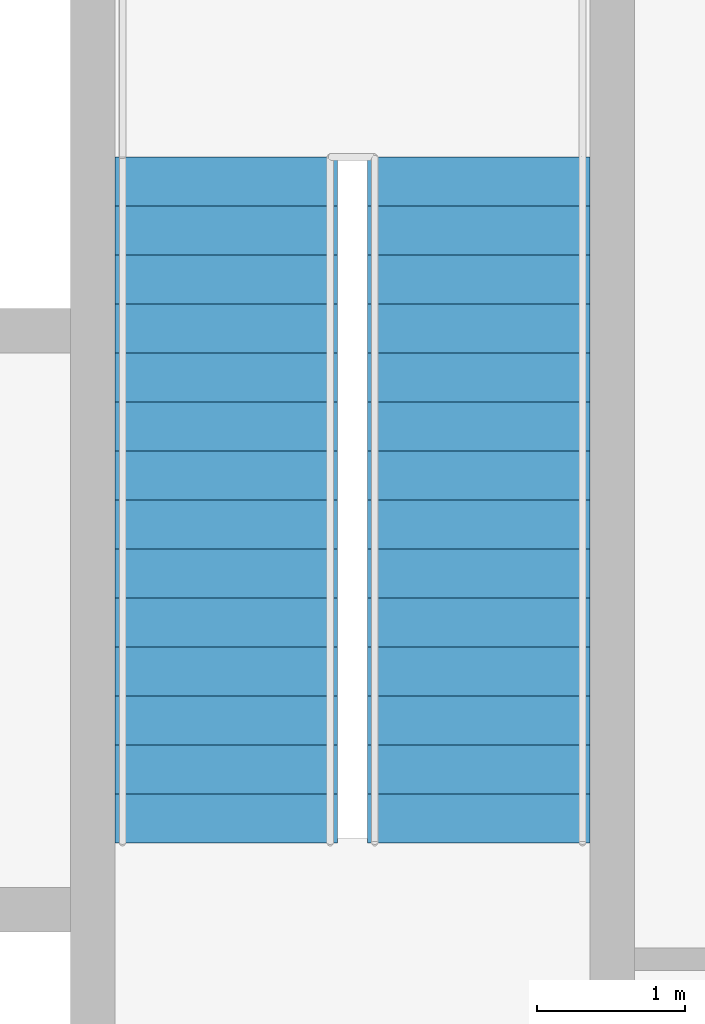
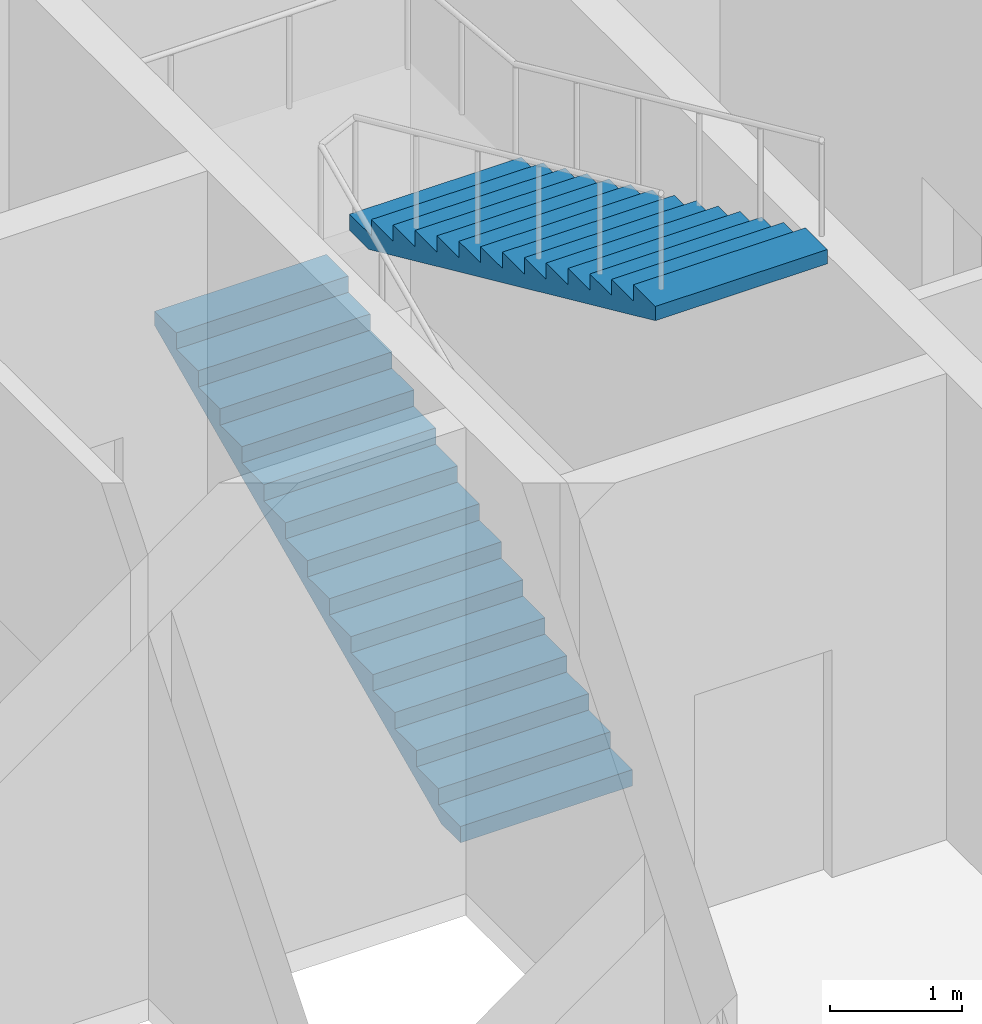
# One storey, part 9 of 10: 2 stair flights, 1 element without a shape of its own.
"""IFC4 building model written with IfcOpenShell, lengths in metres."""

from ifc_helpers import new_model, si_unit, direction, frame, origin, place, context, subcontext, project, spatial, polygons, material, type_object, element, aggregate, save


model = new_model("IFC4")

# Units and contexts
model_context = context("Model", 3, precision=1e-05, world=origin(), true_north=direction((0.0, 1.0)))
body_context = subcontext(model_context, "Body", "Model", "MODEL_VIEW")
ifc_project = project(units=[si_unit("LENGTHUNIT", "METRE"), si_unit("AREAUNIT", "SQUARE_METRE"), si_unit("VOLUMEUNIT", "CUBIC_METRE"), si_unit("PLANEANGLEUNIT", "RADIAN"), si_unit("MASSUNIT", "GRAM", prefix="KILO")], contexts=[model_context])

# Site, building, storey
site_placement = place(None, origin())
site = spatial("IfcSite", under=ifc_project, at=site_placement, CompositionType="ELEMENT")
building_placement = place(site_placement, origin())
building = spatial("IfcBuilding", under=site, at=building_placement, Name="Njiva Tower", CompositionType="ELEMENT")
storey_placement = place(building_placement, frame((0.0, 0.0, 73.8)))
storey = spatial("IfcBuildingStorey", under=building, at=storey_placement, Name="L15", CompositionType="ELEMENT", Elevation=73.8)

# Stair, stair flights
ifc_material = material(Name="Concrete C40/50", Category="concrete")
stair_type = type_object("IfcStairType", Name="ST4 Exit stair 1500", PredefinedType="HALF_TURN_STAIR", material=ifc_material)
stair_placement = place(storey_placement, origin())
stair = element("IfcStair", 1, at=stair_placement, inside=storey, type_object=stair_type, Name="Stair B", PredefinedType="HALF_TURN_STAIR")
stair_flight_type = type_object("IfcStairFlightType", Name="FL4 Stair flight 1500", PredefinedType="STRAIGHT", material=ifc_material)
stair_flight_1_placement = place(storey_placement, frame((11.75, 11.1, 0.0), z_axis=(0.0, 0.0, 1.0), x_axis=(0.0, 1.0, 0.0)))
stair_flight_1 = element("IfcStairFlight", 2, at=stair_flight_1_placement, type_object=stair_flight_type, Name="ST-B flight 1", NumberOfRisers=15, NumberOfTreads=14, PredefinedType="STRAIGHT", RiserHeight=0.15, TreadLength=0.33, context=body_context, shape_type="Tessellation", body=[
    polygons([(0.0, 0.75, 0.0), (0.0, 0.375, 0.0), (0.0, 0.0, 0.0), (0.0, -0.375, 0.0), (0.0, -0.75, 0.0), (0.0, 0.75, 0.15), (0.0, 0.375, 0.15), (0.0, 0.0, 0.15), (0.0, -0.375, 0.15), (0.0, -0.75, 0.15), (0.33, 0.75, 0.15), (0.33, 0.375, 0.15), (0.33, 0.0, 0.15), (0.33, -0.375, 0.15), (0.33, -0.75, 0.15), (0.33, 0.75, 0.3), (0.33, 0.375, 0.3), (0.33, 0.0, 0.3), (0.33, -0.375, 0.3), (0.33, -0.75, 0.3), (0.66, 0.75, 0.3), (0.66, 0.375, 0.3), (0.66, 0.0, 0.3), (0.66, -0.375, 0.3), (0.66, -0.75, 0.3), (0.66, 0.75, 0.45), (0.66, 0.375, 0.45), (0.66, 0.0, 0.45), (0.66, -0.375, 0.45), (0.66, -0.75, 0.45), (0.99, 0.75, 0.45), (0.99, 0.375, 0.45), (0.99, 0.0, 0.45), (0.99, -0.375, 0.45), (0.99, -0.75, 0.45), (0.99, 0.75, 0.6), (0.99, 0.375, 0.6), (0.99, 0.0, 0.6), (0.99, -0.375, 0.6), (0.99, -0.75, 0.6), (1.32, 0.75, 0.6), (1.32, 0.375, 0.6), (1.32, 0.0, 0.6), (1.32, -0.375, 0.6), (1.32, -0.75, 0.6), (1.32, 0.75, 0.75), (1.32, 0.375, 0.75), (1.32, 0.0, 0.75), (1.32, -0.375, 0.75), (1.32, -0.75, 0.75), (1.65, 0.75, 0.75), (1.65, 0.375, 0.75), (1.65, 0.0, 0.75), (1.65, -0.375, 0.75), (1.65, -0.75, 0.75), (1.65, 0.75, 0.9), (1.65, 0.375, 0.9), (1.65, 0.0, 0.9), (1.65, -0.375, 0.9), (1.65, -0.75, 0.9), (1.98, 0.75, 0.9), (1.98, 0.375, 0.9), (1.98, 0.0, 0.9), (1.98, -0.375, 0.9), (1.98, -0.75, 0.9), (1.98, 0.75, 1.05), (1.98, 0.375, 1.05), (1.98, 0.0, 1.05), (1.98, -0.375, 1.05), (1.98, -0.75, 1.05), (2.31, 0.75, 1.05), (2.31, 0.375, 1.05), (2.31, 0.0, 1.05), (2.31, -0.375, 1.05), (2.31, -0.75, 1.05), (2.31, 0.75, 1.2), (2.31, 0.375, 1.2), (2.31, 0.0, 1.2), (2.31, -0.375, 1.2), (2.31, -0.75, 1.2), (2.64, 0.75, 1.2), (2.64, 0.375, 1.2), (2.64, 0.0, 1.2), (2.64, -0.375, 1.2), (2.64, -0.75, 1.2), (2.64, 0.75, 1.35), (2.64, 0.375, 1.35), (2.64, 0.0, 1.35), (2.64, -0.375, 1.35), (2.64, -0.75, 1.35), (2.97, 0.75, 1.35), (2.97, 0.375, 1.35), (2.97, 0.0, 1.35), (2.97, -0.375, 1.35), (2.97, -0.75, 1.35), (2.97, 0.75, 1.5), (2.97, 0.375, 1.5), (2.97, 0.0, 1.5), (2.97, -0.375, 1.5), (2.97, -0.75, 1.5), (3.3, 0.75, 1.5), (3.3, 0.375, 1.5), (3.3, 0.0, 1.5), (3.3, -0.375, 1.5), (3.3, -0.75, 1.5), (3.3, 0.75, 1.65), (3.3, 0.375, 1.65), (3.3, 0.0, 1.65), (3.3, -0.375, 1.65), (3.3, -0.75, 1.65), (3.63, 0.75, 1.65), (3.63, 0.375, 1.65), (3.63, 0.0, 1.65), (3.63, -0.375, 1.65), (3.63, -0.75, 1.65), (3.63, 0.75, 1.8), (3.63, 0.375, 1.8), (3.63, 0.0, 1.8), (3.63, -0.375, 1.8), (3.63, -0.75, 1.8), (3.96, 0.75, 1.8), (3.96, 0.375, 1.8), (3.96, 0.0, 1.8), (3.96, -0.375, 1.8), (3.96, -0.75, 1.8), (3.96, 0.75, 1.95), (3.96, 0.375, 1.95), (3.96, 0.0, 1.95), (3.96, -0.375, 1.95), (3.96, -0.75, 1.95), (4.29, 0.75, 1.95), (4.29, 0.375, 1.95), (4.29, 0.0, 1.95), (4.29, -0.375, 1.95), (4.29, -0.75, 1.95), (4.29, 0.75, 2.1), (4.29, 0.375, 2.1), (4.29, 0.0, 2.1), (4.29, -0.375, 2.1), (4.29, -0.75, 2.1), (4.62, 0.75, 2.1), (4.62, 0.375, 2.1), (4.62, 0.0, 2.1), (4.62, -0.375, 2.1), (4.62, -0.75, 2.1), (4.62, 0.75, 1.9682), (4.62, 0.375, 1.9682), (4.62, 0.0, 1.9682), (4.62, -0.375, 1.9682), (4.62, -0.75, 1.9682), (0.29, 0.75, 0.0), (0.29, 0.375, 0.0), (0.29, 0.0, 0.0), (0.29, -0.375, 0.0), (0.29, -0.75, 0.0)], [[[1, 6, 11, 16, 21, 26, 31, 36, 41, 46, 51, 56, 61, 66, 71, 76, 81, 86, 91, 96, 101, 106, 111, 116, 121, 126, 131, 136, 141, 146, 151]], [[155, 150, 145, 140, 135, 130, 125, 120, 115, 110, 105, 100, 95, 90, 85, 80, 75, 70, 65, 60, 55, 50, 45, 40, 35, 30, 25, 20, 15, 10, 5]], [[6, 1, 2, 7]], [[7, 2, 3, 8]], [[8, 3, 4, 9]], [[9, 4, 5, 10]], [[11, 6, 7, 12]], [[12, 7, 8, 13]], [[13, 8, 9, 14]], [[14, 9, 10, 15]], [[16, 11, 12, 17]], [[17, 12, 13, 18]], [[18, 13, 14, 19]], [[19, 14, 15, 20]], [[21, 16, 17, 22]], [[22, 17, 18, 23]], [[23, 18, 19, 24]], [[24, 19, 20, 25]], [[26, 21, 22, 27]], [[27, 22, 23, 28]], [[28, 23, 24, 29]], [[29, 24, 25, 30]], [[31, 26, 27, 32]], [[32, 27, 28, 33]], [[33, 28, 29, 34]], [[34, 29, 30, 35]], [[36, 31, 32, 37]], [[37, 32, 33, 38]], [[38, 33, 34, 39]], [[39, 34, 35, 40]], [[41, 36, 37, 42]], [[42, 37, 38, 43]], [[43, 38, 39, 44]], [[44, 39, 40, 45]], [[46, 41, 42, 47]], [[47, 42, 43, 48]], [[48, 43, 44, 49]], [[49, 44, 45, 50]], [[51, 46, 47, 52]], [[52, 47, 48, 53]], [[53, 48, 49, 54]], [[54, 49, 50, 55]], [[56, 51, 52, 57]], [[57, 52, 53, 58]], [[58, 53, 54, 59]], [[59, 54, 55, 60]], [[61, 56, 57, 62]], [[62, 57, 58, 63]], [[63, 58, 59, 64]], [[64, 59, 60, 65]], [[66, 61, 62, 67]], [[67, 62, 63, 68]], [[68, 63, 64, 69]], [[69, 64, 65, 70]], [[71, 66, 67, 72]], [[72, 67, 68, 73]], [[73, 68, 69, 74]], [[74, 69, 70, 75]], [[76, 71, 72, 77]], [[77, 72, 73, 78]], [[78, 73, 74, 79]], [[79, 74, 75, 80]], [[81, 76, 77, 82]], [[82, 77, 78, 83]], [[83, 78, 79, 84]], [[84, 79, 80, 85]], [[86, 81, 82, 87]], [[87, 82, 83, 88]], [[88, 83, 84, 89]], [[89, 84, 85, 90]], [[91, 86, 87, 92]], [[92, 87, 88, 93]], [[93, 88, 89, 94]], [[94, 89, 90, 95]], [[96, 91, 92, 97]], [[97, 92, 93, 98]], [[98, 93, 94, 99]], [[99, 94, 95, 100]], [[101, 96, 97, 102]], [[102, 97, 98, 103]], [[103, 98, 99, 104]], [[104, 99, 100, 105]], [[106, 101, 102, 107]], [[107, 102, 103, 108]], [[108, 103, 104, 109]], [[109, 104, 105, 110]], [[111, 106, 107, 112]], [[112, 107, 108, 113]], [[113, 108, 109, 114]], [[114, 109, 110, 115]], [[116, 111, 112, 117]], [[117, 112, 113, 118]], [[118, 113, 114, 119]], [[119, 114, 115, 120]], [[121, 116, 117, 122]], [[122, 117, 118, 123]], [[123, 118, 119, 124]], [[124, 119, 120, 125]], [[126, 121, 122, 127]], [[127, 122, 123, 128]], [[128, 123, 124, 129]], [[129, 124, 125, 130]], [[131, 126, 127, 132]], [[132, 127, 128, 133]], [[133, 128, 129, 134]], [[134, 129, 130, 135]], [[136, 131, 132, 137]], [[137, 132, 133, 138]], [[138, 133, 134, 139]], [[139, 134, 135, 140]], [[141, 136, 137, 142]], [[142, 137, 138, 143]], [[143, 138, 139, 144]], [[144, 139, 140, 145]], [[146, 141, 142, 147]], [[147, 142, 143, 148]], [[148, 143, 144, 149]], [[149, 144, 145, 150]], [[151, 146, 147, 152]], [[152, 147, 148, 153]], [[153, 148, 149, 154]], [[154, 149, 150, 155]], [[1, 151, 152, 2]], [[2, 152, 153, 3]], [[3, 153, 154, 4]], [[4, 154, 155, 5]]], closed=True),
])
stair_flight_2_placement = place(storey_placement, frame((13.45, 15.72, 2.25), z_axis=(0.0, 0.0, 1.0), x_axis=(0.0, -1.0, 0.0)))
stair_flight_2 = element("IfcStairFlight", 3, at=stair_flight_2_placement, type_object=stair_flight_type, Name="ST-B flight 2", NumberOfRisers=15, NumberOfTreads=14, PredefinedType="STRAIGHT", RiserHeight=0.15, TreadLength=0.33, context=body_context, shape_type="Tessellation", body=[
    polygons([(0.0, 0.75, 0.0), (0.0, 0.375, 0.0), (0.0, 0.0, 0.0), (0.0, -0.375, 0.0), (0.0, -0.75, 0.0), (0.0, 0.75, 0.15), (0.0, 0.375, 0.15), (0.0, 0.0, 0.15), (0.0, -0.375, 0.15), (0.0, -0.75, 0.15), (0.33, 0.75, 0.15), (0.33, 0.375, 0.15), (0.33, 0.0, 0.15), (0.33, -0.375, 0.15), (0.33, -0.75, 0.15), (0.33, 0.75, 0.3), (0.33, 0.375, 0.3), (0.33, 0.0, 0.3), (0.33, -0.375, 0.3), (0.33, -0.75, 0.3), (0.66, 0.75, 0.3), (0.66, 0.375, 0.3), (0.66, 0.0, 0.3), (0.66, -0.375, 0.3), (0.66, -0.75, 0.3), (0.66, 0.75, 0.45), (0.66, 0.375, 0.45), (0.66, 0.0, 0.45), (0.66, -0.375, 0.45), (0.66, -0.75, 0.45), (0.99, 0.75, 0.45), (0.99, 0.375, 0.45), (0.99, 0.0, 0.45), (0.99, -0.375, 0.45), (0.99, -0.75, 0.45), (0.99, 0.75, 0.6), (0.99, 0.375, 0.6), (0.99, 0.0, 0.6), (0.99, -0.375, 0.6), (0.99, -0.75, 0.6), (1.32, 0.75, 0.6), (1.32, 0.375, 0.6), (1.32, 0.0, 0.6), (1.32, -0.375, 0.6), (1.32, -0.75, 0.6), (1.32, 0.75, 0.75), (1.32, 0.375, 0.75), (1.32, 0.0, 0.75), (1.32, -0.375, 0.75), (1.32, -0.75, 0.75), (1.65, 0.75, 0.75), (1.65, 0.375, 0.75), (1.65, 0.0, 0.75), (1.65, -0.375, 0.75), (1.65, -0.75, 0.75), (1.65, 0.75, 0.9), (1.65, 0.375, 0.9), (1.65, 0.0, 0.9), (1.65, -0.375, 0.9), (1.65, -0.75, 0.9), (1.98, 0.75, 0.9), (1.98, 0.375, 0.9), (1.98, 0.0, 0.9), (1.98, -0.375, 0.9), (1.98, -0.75, 0.9), (1.98, 0.75, 1.05), (1.98, 0.375, 1.05), (1.98, 0.0, 1.05), (1.98, -0.375, 1.05), (1.98, -0.75, 1.05), (2.31, 0.75, 1.05), (2.31, 0.375, 1.05), (2.31, 0.0, 1.05), (2.31, -0.375, 1.05), (2.31, -0.75, 1.05), (2.31, 0.75, 1.2), (2.31, 0.375, 1.2), (2.31, 0.0, 1.2), (2.31, -0.375, 1.2), (2.31, -0.75, 1.2), (2.64, 0.75, 1.2), (2.64, 0.375, 1.2), (2.64, 0.0, 1.2), (2.64, -0.375, 1.2), (2.64, -0.75, 1.2), (2.64, 0.75, 1.35), (2.64, 0.375, 1.35), (2.64, 0.0, 1.35), (2.64, -0.375, 1.35), (2.64, -0.75, 1.35), (2.97, 0.75, 1.35), (2.97, 0.375, 1.35), (2.97, 0.0, 1.35), (2.97, -0.375, 1.35), (2.97, -0.75, 1.35), (2.97, 0.75, 1.5), (2.97, 0.375, 1.5), (2.97, 0.0, 1.5), (2.97, -0.375, 1.5), (2.97, -0.75, 1.5), (3.3, 0.75, 1.5), (3.3, 0.375, 1.5), (3.3, 0.0, 1.5), (3.3, -0.375, 1.5), (3.3, -0.75, 1.5), (3.3, 0.75, 1.65), (3.3, 0.375, 1.65), (3.3, 0.0, 1.65), (3.3, -0.375, 1.65), (3.3, -0.75, 1.65), (3.63, 0.75, 1.65), (3.63, 0.375, 1.65), (3.63, 0.0, 1.65), (3.63, -0.375, 1.65), (3.63, -0.75, 1.65), (3.63, 0.75, 1.8), (3.63, 0.375, 1.8), (3.63, 0.0, 1.8), (3.63, -0.375, 1.8), (3.63, -0.75, 1.8), (3.96, 0.75, 1.8), (3.96, 0.375, 1.8), (3.96, 0.0, 1.8), (3.96, -0.375, 1.8), (3.96, -0.75, 1.8), (3.96, 0.75, 1.95), (3.96, 0.375, 1.95), (3.96, 0.0, 1.95), (3.96, -0.375, 1.95), (3.96, -0.75, 1.95), (4.29, 0.75, 1.95), (4.29, 0.375, 1.95), (4.29, 0.0, 1.95), (4.29, -0.375, 1.95), (4.29, -0.75, 1.95), (4.29, 0.75, 2.1), (4.29, 0.375, 2.1), (4.29, 0.0, 2.1), (4.29, -0.375, 2.1), (4.29, -0.75, 2.1), (4.62, 0.75, 2.1), (4.62, 0.375, 2.1), (4.62, 0.0, 2.1), (4.62, -0.375, 2.1), (4.62, -0.75, 2.1), (4.62, 0.75, 1.9682), (4.62, 0.375, 1.9682), (4.62, 0.0, 1.9682), (4.62, -0.375, 1.9682), (4.62, -0.75, 1.9682), (0.29, 0.75, 0.0), (0.29, 0.375, 0.0), (0.29, 0.0, 0.0), (0.29, -0.375, 0.0), (0.29, -0.75, 0.0)], [[[1, 6, 11, 16, 21, 26, 31, 36, 41, 46, 51, 56, 61, 66, 71, 76, 81, 86, 91, 96, 101, 106, 111, 116, 121, 126, 131, 136, 141, 146, 151]], [[155, 150, 145, 140, 135, 130, 125, 120, 115, 110, 105, 100, 95, 90, 85, 80, 75, 70, 65, 60, 55, 50, 45, 40, 35, 30, 25, 20, 15, 10, 5]], [[6, 1, 2, 7]], [[7, 2, 3, 8]], [[8, 3, 4, 9]], [[9, 4, 5, 10]], [[11, 6, 7, 12]], [[12, 7, 8, 13]], [[13, 8, 9, 14]], [[14, 9, 10, 15]], [[16, 11, 12, 17]], [[17, 12, 13, 18]], [[18, 13, 14, 19]], [[19, 14, 15, 20]], [[21, 16, 17, 22]], [[22, 17, 18, 23]], [[23, 18, 19, 24]], [[24, 19, 20, 25]], [[26, 21, 22, 27]], [[27, 22, 23, 28]], [[28, 23, 24, 29]], [[29, 24, 25, 30]], [[31, 26, 27, 32]], [[32, 27, 28, 33]], [[33, 28, 29, 34]], [[34, 29, 30, 35]], [[36, 31, 32, 37]], [[37, 32, 33, 38]], [[38, 33, 34, 39]], [[39, 34, 35, 40]], [[41, 36, 37, 42]], [[42, 37, 38, 43]], [[43, 38, 39, 44]], [[44, 39, 40, 45]], [[46, 41, 42, 47]], [[47, 42, 43, 48]], [[48, 43, 44, 49]], [[49, 44, 45, 50]], [[51, 46, 47, 52]], [[52, 47, 48, 53]], [[53, 48, 49, 54]], [[54, 49, 50, 55]], [[56, 51, 52, 57]], [[57, 52, 53, 58]], [[58, 53, 54, 59]], [[59, 54, 55, 60]], [[61, 56, 57, 62]], [[62, 57, 58, 63]], [[63, 58, 59, 64]], [[64, 59, 60, 65]], [[66, 61, 62, 67]], [[67, 62, 63, 68]], [[68, 63, 64, 69]], [[69, 64, 65, 70]], [[71, 66, 67, 72]], [[72, 67, 68, 73]], [[73, 68, 69, 74]], [[74, 69, 70, 75]], [[76, 71, 72, 77]], [[77, 72, 73, 78]], [[78, 73, 74, 79]], [[79, 74, 75, 80]], [[81, 76, 77, 82]], [[82, 77, 78, 83]], [[83, 78, 79, 84]], [[84, 79, 80, 85]], [[86, 81, 82, 87]], [[87, 82, 83, 88]], [[88, 83, 84, 89]], [[89, 84, 85, 90]], [[91, 86, 87, 92]], [[92, 87, 88, 93]], [[93, 88, 89, 94]], [[94, 89, 90, 95]], [[96, 91, 92, 97]], [[97, 92, 93, 98]], [[98, 93, 94, 99]], [[99, 94, 95, 100]], [[101, 96, 97, 102]], [[102, 97, 98, 103]], [[103, 98, 99, 104]], [[104, 99, 100, 105]], [[106, 101, 102, 107]], [[107, 102, 103, 108]], [[108, 103, 104, 109]], [[109, 104, 105, 110]], [[111, 106, 107, 112]], [[112, 107, 108, 113]], [[113, 108, 109, 114]], [[114, 109, 110, 115]], [[116, 111, 112, 117]], [[117, 112, 113, 118]], [[118, 113, 114, 119]], [[119, 114, 115, 120]], [[121, 116, 117, 122]], [[122, 117, 118, 123]], [[123, 118, 119, 124]], [[124, 119, 120, 125]], [[126, 121, 122, 127]], [[127, 122, 123, 128]], [[128, 123, 124, 129]], [[129, 124, 125, 130]], [[131, 126, 127, 132]], [[132, 127, 128, 133]], [[133, 128, 129, 134]], [[134, 129, 130, 135]], [[136, 131, 132, 137]], [[137, 132, 133, 138]], [[138, 133, 134, 139]], [[139, 134, 135, 140]], [[141, 136, 137, 142]], [[142, 137, 138, 143]], [[143, 138, 139, 144]], [[144, 139, 140, 145]], [[146, 141, 142, 147]], [[147, 142, 143, 148]], [[148, 143, 144, 149]], [[149, 144, 145, 150]], [[151, 146, 147, 152]], [[152, 147, 148, 153]], [[153, 148, 149, 154]], [[154, 149, 150, 155]], [[1, 151, 152, 2]], [[2, 152, 153, 3]], [[3, 153, 154, 4]], [[4, 154, 155, 5]]], closed=True),
])
aggregate(stair, [stair_flight_1, stair_flight_2])

save(model, "model.ifc")
